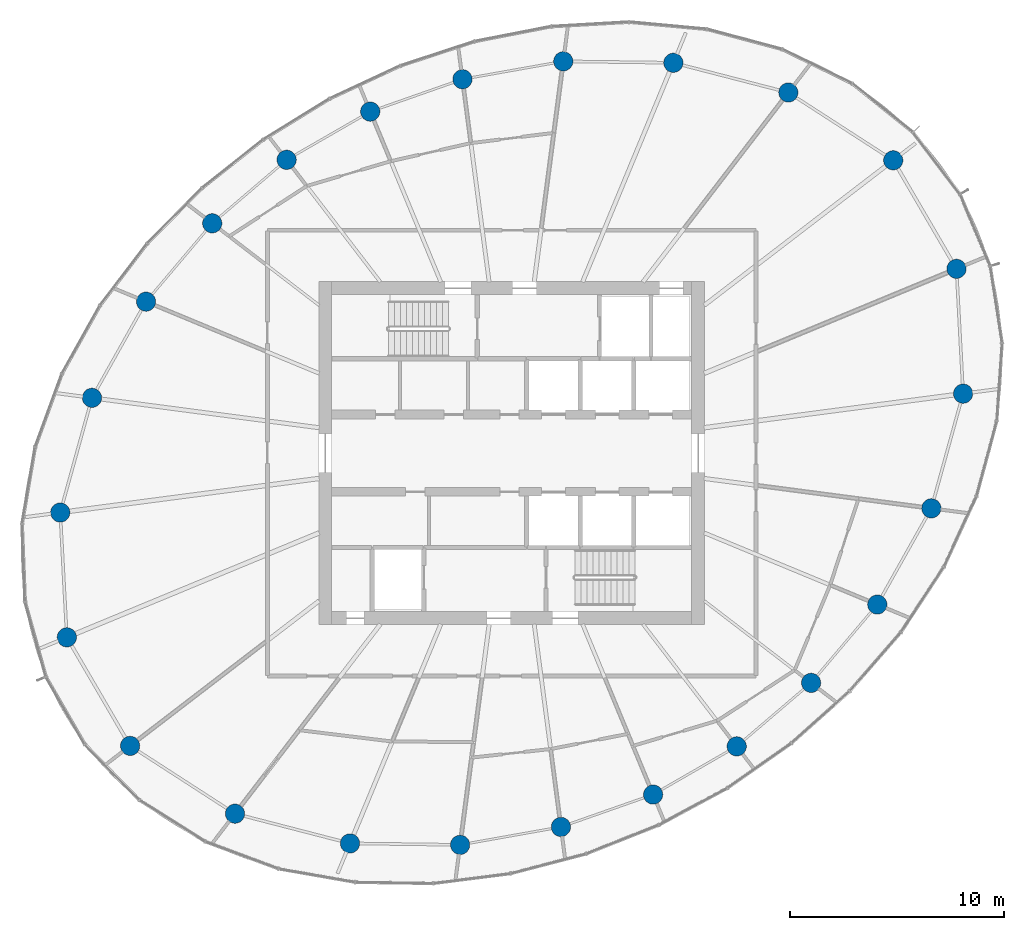
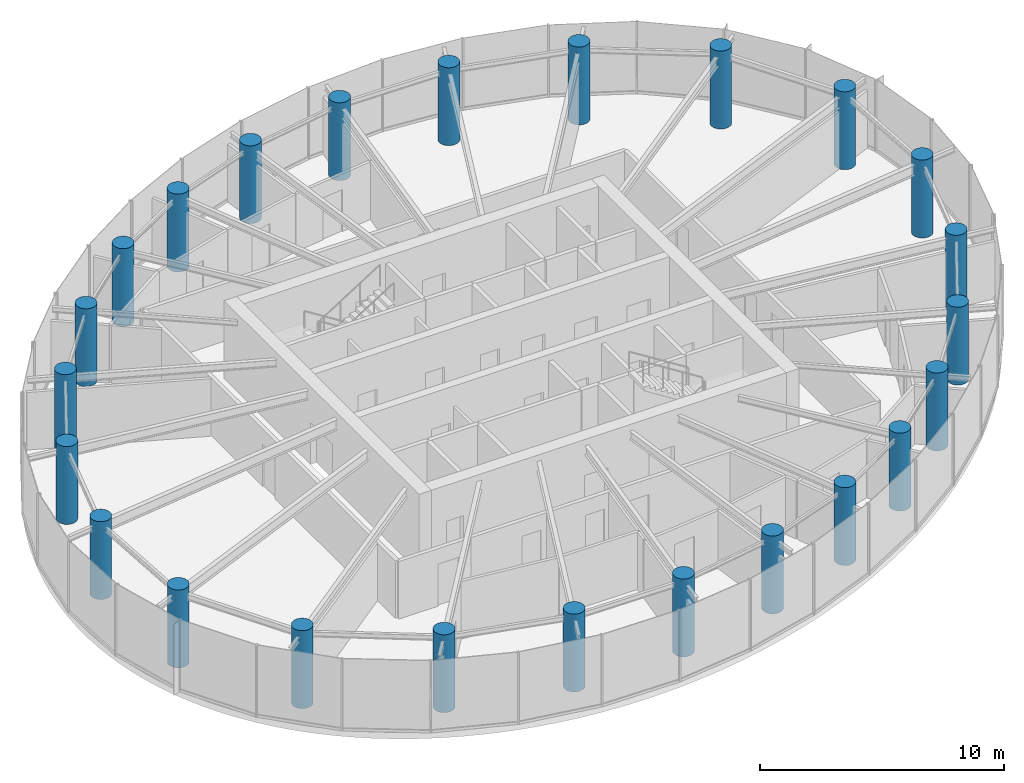
# One storey, part 1 of 14: 24 columns.
"""IFC4 building model written with IfcOpenShell, lengths in metres."""

from ifc_helpers import new_model, si_unit, direction, frame, origin, origin_2d, place, context, subcontext, project, spatial, circle, extrude, source, transform, mapped, material, material_profile, profile_set, type_object, element, save


model = new_model("IFC4")

# Units and contexts
model_context = context("Model", 3, precision=1e-05, world=origin(), true_north=direction((0.0, 1.0)))
body_context = subcontext(model_context, "Body", "Model", "MODEL_VIEW")
ifc_project = project(units=[si_unit("LENGTHUNIT", "METRE"), si_unit("AREAUNIT", "SQUARE_METRE"), si_unit("VOLUMEUNIT", "CUBIC_METRE"), si_unit("PLANEANGLEUNIT", "RADIAN"), si_unit("MASSUNIT", "GRAM", prefix="KILO")], contexts=[model_context])

# Site, building, storey
site_placement = place(None, origin())
site = spatial("IfcSite", under=ifc_project, at=site_placement, CompositionType="ELEMENT")
building_placement = place(site_placement, origin())
building = spatial("IfcBuilding", under=site, at=building_placement, Name="Spindrift Exchange Tower", CompositionType="ELEMENT")
storey_placement = place(building_placement, frame((0.0, 0.0, 215.0)))
storey = spatial("IfcBuildingStorey", under=building, at=storey_placement, Name="L52", CompositionType="ELEMENT", Elevation=215.0)

# Columns
ifc_material = material(Name="Concrete 50 MPa", Category="concrete")
ifc_material_profile = material_profile(ifc_material, circle(Radius=0.449951171875, at=origin_2d()), Name="RC D900")
ifc_profile_set = profile_set([ifc_material_profile], Name="Concrete 50 MPa")
column_type = type_object("IfcColumnType", Name="RC Perimeter Column D900 Concrete 50 MPa", PredefinedType="COLUMN", material=ifc_profile_set)
shared_shape = source(origin(), body_context, "Body", "SweptSolid", [
    extrude(circle(Radius=0.449951171875, at=origin_2d()), origin(), (0.0, 0.0, 1.0), 3.89990234375),
])
for number, where, z_axis, x_axis, name in (
    (1, (73.062255859375, 50.77294921875, 0.0), (0.0, 0.0, 1.0), (1.0, 0.0, 0.0), "Perimeter column P4-01 L52"),
    (2, (72.753173828125, 56.59619140625, 0.0), (0.0, 0.0, 1.0), (1.0, 0.0, 0.0), "Perimeter column P4-02 L52"),
    (3, (69.802001953125, 61.659912109375, 0.0), (0.0, 0.0, 1.0), (1.0, 0.0, 0.0), "Perimeter column P4-03 L52"),
    (4, (64.90869140625, 64.822998046875, 0.0), (0.0, 0.0, 1.0), (1.0, 0.0, 0.0), "Perimeter column P4-04 L52"),
    (5, (59.542724609375, 66.209716796875, 0.0), (0.0, 0.0, 1.0), (1.0, 0.0, 0.0), "Perimeter column P4-05 L52"),
    (6, (54.406494140625, 66.2783203125, 0.0), (0.0, 0.0, 1.0), (1.0, 0.0, 0.0), "Perimeter column P4-06 L52"),
    (7, (49.70361328125, 65.4423828125, 0.0), (0.0, 0.0, 1.0), (1.0, 0.0, 0.0), "Perimeter column P4-07 L52"),
    (8, (45.40087890625, 63.931396484375, 0.0), (0.0, 0.0, 1.0), (1.0, 0.0, 0.0), "Perimeter column P4-08 L52"),
    (9, (41.500732421875, 61.68310546875, 0.0), (0.0, 0.0, 1.0), (1.0, 0.0, 0.0), "Perimeter column P4-09 L52"),
    (10, (38.029052734375, 58.72021484375, 0.0), (0.0, 0.0, 1.0), (1.0, 0.0, 0.0), "Perimeter column P4-10 L52"),
    (11, (34.940673828125, 55.066162109375, 0.0), (0.0, 0.0, 1.0), (1.0, 0.0, 0.0), "Perimeter column P4-11 L52"),
    (12, (32.4189453125, 50.577880859375, 0.0), (0.0, 0.0, 1.0), (1.0, 0.0, 0.0), "Perimeter column P4-12 L52"),
    (13, (30.937744140625, 45.22705078125, 0.0), (0.0, 0.0, 1.0), (1.0, 0.0, 0.0), "Perimeter column P4-13 L52"),
    (14, (31.246826171875, 39.40380859375, 0.0), (0.0, 0.0, 1.0), (1.0, 0.0, 0.0), "Perimeter column P4-14 L52"),
    (15, (34.197998046875, 34.340087890625, 0.0), (0.0, 0.0, 1.0), (1.0, 0.0, 0.0), "Perimeter column P4-15 L52"),
    (16, (39.09130859375, 31.177001953125, 0.0), (0.0, 0.0, 1.0), (1.0, 0.0, 0.0), "Perimeter column P4-16 L52"),
    (17, (44.457275390625, 29.790283203125, 0.0), (0.0, 0.0, 1.0), (1.0, 0.0, 0.0), "Perimeter column P4-17 L52"),
    (18, (49.593505859375, 29.7216796875, 0.0), (0.0, 0.0, 1.0), (1.0, 0.0, 0.0), "Perimeter column P4-18 L52"),
    (19, (54.29638671875, 30.5576171875, 0.0), (0.0, 0.0, 1.0), (1.0, 0.0, 0.0), "Perimeter column P4-19 L52"),
    (20, (58.59912109375, 32.068603515625, 0.0), (0.0, 0.0, 1.0), (1.0, 0.0, 0.0), "Perimeter column P4-20 L52"),
    (21, (62.499267578125, 34.31689453125, 0.0), (0.0, 0.0, 1.0), (1.0, 0.0, 0.0), "Perimeter column P4-21 L52"),
    (22, (65.970947265625, 37.27978515625, 0.0), (0.0, 0.0, 1.0), (1.0, 0.0, 0.0), "Perimeter column P4-22 L52"),
    (23, (69.059326171875, 40.933837890625, 0.0), (0.0, 0.0, 1.0), (1.0, 0.0, 0.0), "Perimeter column P4-23 L52"),
    (24, (71.5810546875, 45.422119140625, 0.0), (0.0, 0.0, 1.0), (1.0, 0.0, 0.0), "Perimeter column P4-24 L52"),
):
    element("IfcColumn", number, at=place(storey_placement, frame(where, z_axis=z_axis, x_axis=x_axis)), inside=storey, type_object=column_type, Name=name, PredefinedType="COLUMN", context=body_context, shape_type="MappedRepresentation", body=[
        mapped(shared_shape, transform((0.0, 0.0, 0.0), scale=1.0)),
    ])

save(model, "model.ifc")
